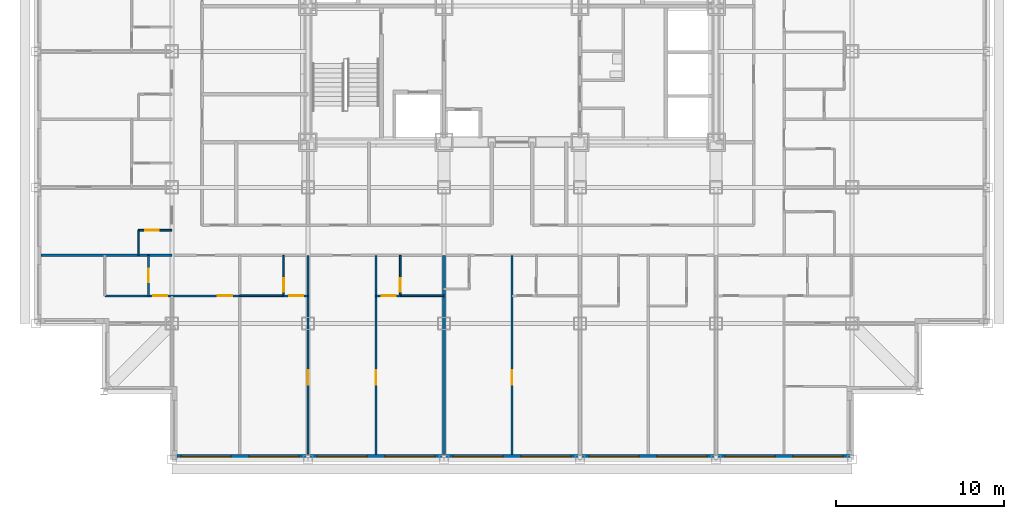
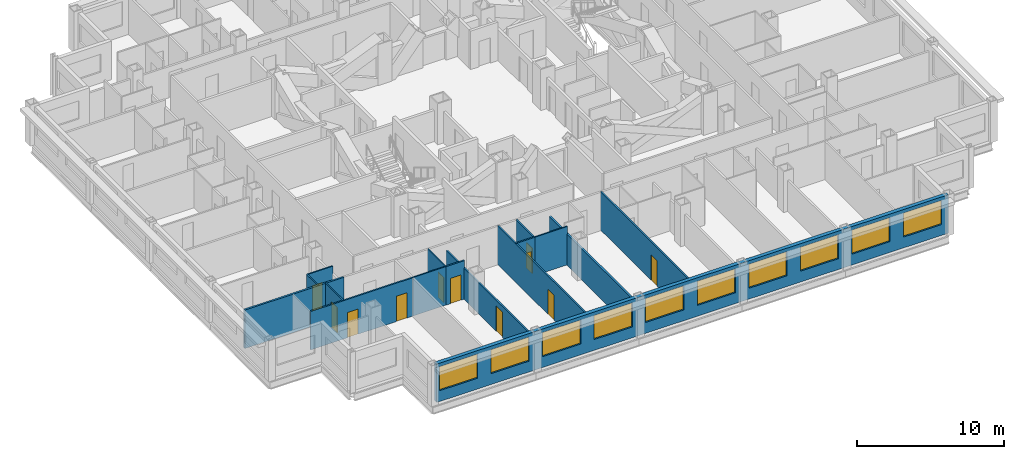
# One storey, part 4 of 15: 16 walls, 11 doors, 10 windows, 21 openings.
"""IFC4 building model written with IfcOpenShell, lengths in metres."""

from ifc_helpers import new_model, si_unit, direction, frame, frame_2d, origin, place, context, subcontext, project, spatial, rectangle, extrude, material, layer, layer_set, type_object, element, fill, save


model = new_model("IFC4")

# Units and contexts
model_context = context("Model", 3, precision=1e-05, world=origin(), true_north=direction((0.0, 1.0)))
body_context = subcontext(model_context, "Body", "Model", "MODEL_VIEW")
ifc_project = project(units=[si_unit("LENGTHUNIT", "METRE"), si_unit("AREAUNIT", "SQUARE_METRE"), si_unit("VOLUMEUNIT", "CUBIC_METRE"), si_unit("PLANEANGLEUNIT", "RADIAN"), si_unit("MASSUNIT", "GRAM", prefix="KILO")], contexts=[model_context])

# Site, building, storey
site_placement = place(None, origin())
site = spatial("IfcSite", under=ifc_project, at=site_placement, CompositionType="ELEMENT")
building_placement = place(site_placement, origin())
building = spatial("IfcBuilding", under=site, at=building_placement, Name="Kopane Lantern Tower", CompositionType="ELEMENT")
storey_placement = place(building_placement, frame((0.0, 0.0, 140.800048828125)))
storey = spatial("IfcBuildingStorey", under=building, at=storey_placement, Name="L36", CompositionType="ELEMENT", Elevation=140.800048828125)

# Wall, opening, door
ifc_material_1 = material(Name="Gypsum board on steel studs", Category="steel")
ifc_layer_1 = layer(ifc_material_1, 0.1201171875)
ifc_layer_set_1 = layer_set([ifc_layer_1], Name="APARTMENT INTERNAL WALL 120")
wall_type_1 = type_object("IfcWallType", Name="APARTMENT INTERNAL WALL 120", PredefinedType="PARTITIONING", material=ifc_layer_set_1)
wall_1_placement = place(storey_placement, frame((16.199951171875, 17.550048828125, 0.0), z_axis=(0.0, 0.0, 1.0), x_axis=(0.0, -1.0, 0.0)))
wall_1 = element("IfcWall", 1, at=wall_1_placement, inside=storey, type_object=wall_type_1, Name="Apartment Internal Wall 120 L36", PredefinedType="PARTITIONING", context=body_context, shape_type="SweptSolid", body=[
    extrude(rectangle(XDim=11.85009765625, YDim=0.1201171875, at=frame_2d((5.925048828125, 0.0))), origin(), (0.0, 0.0, 1.0), 2.57763671875),
])
opening_1_placement = place(wall_1_placement, frame((6.85009765625, 0.0, 0.0)))
opening_1 = element("IfcOpeningElement", 2, at=opening_1_placement, cuts=wall_1, Name="Opening L36-020", PredefinedType="OPENING", context=body_context, shape_type="SweptSolid", body=[
    extrude(rectangle(XDim=0.85009765625, YDim=2.10009765625, at=frame_2d((0.425048828125, 1.050048828125))), frame((0.0, 0.070068359375, 0.0), z_axis=(0.0, -1.0, 0.0), x_axis=(1.0, 0.0, 0.0)), (0.0, 0.0, 1.0), 0.14013671875),
])
ifc_material_2 = material(Name="Timber door set", Category="wood")
door_type_1 = type_object("IfcDoorType", Name="DOOR D4 850x2100", OperationType="SINGLE_SWING_LEFT", PredefinedType="DOOR", material=ifc_material_2)
door_1_placement = place(opening_1_placement, origin())
door_1 = element("IfcDoor", 3, at=door_1_placement, inside=storey, type_object=door_type_1, Name="Door L36-020", OperationType="SINGLE_SWING_RIGHT", OverallHeight=2.10009765625, OverallWidth=0.85009765625, PredefinedType="DOOR", context=body_context, shape_type="SweptSolid", body=[
    extrude(rectangle(XDim=0.85009765625, YDim=2.10009765625, at=frame_2d((0.425048828125, 1.050048828125))), frame((0.0, 0.02490234375, 0.0), z_axis=(0.0, -1.0, 0.0), x_axis=(1.0, 0.0, 0.0)), (0.0, 0.0, 1.0), 0.050048828125),
])
fill(opening_1, door_1)

wall_2_placement = place(storey_placement, frame((20.25, 17.550048828125, 0.0), z_axis=(0.0, 0.0, 1.0), x_axis=(0.0, -1.0, 0.0)))
wall_2 = element("IfcWall", 4, at=wall_2_placement, inside=storey, type_object=wall_type_1, Name="Apartment Internal Wall 120 L36", PredefinedType="PARTITIONING", context=body_context, shape_type="SweptSolid", body=[
    extrude(rectangle(XDim=11.85009765625, YDim=0.1201171875, at=frame_2d((5.925048828125, 0.0))), origin(), (0.0, 0.0, 1.0), 3.18994140625),
])
opening_2_placement = place(wall_2_placement, frame((6.85009765625, 0.0, 0.0)))
opening_2 = element("IfcOpeningElement", 5, at=opening_2_placement, cuts=wall_2, Name="Opening L36-022", PredefinedType="OPENING", context=body_context, shape_type="SweptSolid", body=[
    extrude(rectangle(XDim=0.85009765625, YDim=2.10009765625, at=frame_2d((0.425048828125, 1.050048828125))), frame((0.0, 0.070068359375, 0.0), z_axis=(0.0, -1.0, 0.0), x_axis=(1.0, 0.0, 0.0)), (0.0, 0.0, 1.0), 0.14013671875),
])
door_2_placement = place(opening_2_placement, origin())
door_2 = element("IfcDoor", 6, at=door_2_placement, inside=storey, type_object=door_type_1, Name="Door L36-022", OperationType="SINGLE_SWING_LEFT", OverallHeight=2.10009765625, OverallWidth=0.85009765625, PredefinedType="DOOR", context=body_context, shape_type="SweptSolid", body=[
    extrude(rectangle(XDim=0.85009765625, YDim=2.10009765625, at=frame_2d((0.425048828125, 1.050048828125))), frame((0.0, 0.02490234375, 0.0), z_axis=(0.0, -1.0, 0.0), x_axis=(1.0, 0.0, 0.0)), (0.0, 0.0, 1.0), 0.050048828125),
])
fill(opening_2, door_2)

wall_3_placement = place(storey_placement, frame((28.35009765625, 17.550048828125, 0.0), z_axis=(0.0, 0.0, 1.0), x_axis=(0.0, -1.0, 0.0)))
wall_3 = element("IfcWall", 7, at=wall_3_placement, inside=storey, type_object=wall_type_1, Name="Apartment Internal Wall 120 L36", PredefinedType="PARTITIONING", context=body_context, shape_type="SweptSolid", body=[
    extrude(rectangle(XDim=11.85009765625, YDim=0.1201171875, at=frame_2d((5.925048828125, 0.0))), origin(), (0.0, 0.0, 1.0), 3.18994140625),
])
opening_3_placement = place(wall_3_placement, frame((6.85009765625, 0.0, 0.0)))
opening_3 = element("IfcOpeningElement", 8, at=opening_3_placement, cuts=wall_3, Name="Opening L36-026", PredefinedType="OPENING", context=body_context, shape_type="SweptSolid", body=[
    extrude(rectangle(XDim=0.85009765625, YDim=2.10009765625, at=frame_2d((0.425048828125, 1.050048828125))), frame((0.0, 0.070068359375, 0.0), z_axis=(0.0, -1.0, 0.0), x_axis=(1.0, 0.0, 0.0)), (0.0, 0.0, 1.0), 0.14013671875),
])
door_3_placement = place(opening_3_placement, origin())
door_3 = element("IfcDoor", 9, at=door_3_placement, inside=storey, type_object=door_type_1, Name="Door L36-026", OperationType="SINGLE_SWING_LEFT", OverallHeight=2.10009765625, OverallWidth=0.85009765625, PredefinedType="DOOR", context=body_context, shape_type="SweptSolid", body=[
    extrude(rectangle(XDim=0.85009765625, YDim=2.10009765625, at=frame_2d((0.425048828125, 1.050048828125))), frame((0.0, 0.02490234375, 0.0), z_axis=(0.0, -1.0, 0.0), x_axis=(1.0, 0.0, 0.0)), (0.0, 0.0, 1.0), 0.050048828125),
])
fill(opening_3, door_3)

# Wall, openings, doors
wall_4_placement = place(storey_placement, frame((4.10009765625, 15.14990234375, 0.0), z_axis=(0.0, 0.0, 1.0), x_axis=(1.0, 0.0, 0.0)))
wall_4 = element("IfcWall", 10, at=wall_4_placement, inside=storey, type_object=wall_type_1, Name="Apartment Internal Wall 120 L36", PredefinedType="PARTITIONING", context=body_context, shape_type="SweptSolid", body=[
    extrude(rectangle(XDim=8.0498046875, YDim=0.1201171875, at=frame_2d((4.02490234375, 0.0))), origin(), (0.0, 0.0, 1.0), 3.18994140625),
])
opening_4_placement = place(wall_4_placement, frame((6.72509765625, 0.0, 0.0)))
opening_4 = element("IfcOpeningElement", 11, at=opening_4_placement, cuts=wall_4, Name="Opening L36-071", PredefinedType="OPENING", context=body_context, shape_type="SweptSolid", body=[
    extrude(rectangle(XDim=0.85009765625, YDim=2.10009765625, at=frame_2d((0.425048828125, 1.050048828125))), frame((0.0, 0.070068359375, 0.0), z_axis=(0.0, -1.0, 0.0), x_axis=(1.0, 0.0, 0.0)), (0.0, 0.0, 1.0), 0.14013671875),
])
opening_5_placement = place(wall_4_placement, frame((2.875, 0.0, 0.0)))
opening_5 = element("IfcOpeningElement", 12, at=opening_5_placement, cuts=wall_4, Name="Opening L36-073", PredefinedType="OPENING", context=body_context, shape_type="SweptSolid", body=[
    extrude(rectangle(XDim=0.85009765625, YDim=2.10009765625, at=frame_2d((0.425048828125, 1.050048828125))), frame((0.0, 0.070068359375, 0.0), z_axis=(0.0, -1.0, 0.0), x_axis=(1.0, 0.0, 0.0)), (0.0, 0.0, 1.0), 0.14013671875),
])
door_4_placement = place(opening_4_placement, origin())
door_4 = element("IfcDoor", 13, at=door_4_placement, inside=storey, type_object=door_type_1, Name="Door L36-071", OperationType="SINGLE_SWING_RIGHT", OverallHeight=2.10009765625, OverallWidth=0.85009765625, PredefinedType="DOOR", context=body_context, shape_type="SweptSolid", body=[
    extrude(rectangle(XDim=0.85009765625, YDim=2.10009765625, at=frame_2d((0.425048828125, 1.050048828125))), frame((0.0, 0.02490234375, 0.0), z_axis=(0.0, -1.0, 0.0), x_axis=(1.0, 0.0, 0.0)), (0.0, 0.0, 1.0), 0.050048828125),
])
fill(opening_4, door_4)
door_5_placement = place(opening_5_placement, origin())
door_5 = element("IfcDoor", 14, at=door_5_placement, inside=storey, type_object=door_type_1, Name="Door L36-073", OperationType="SINGLE_SWING_LEFT", OverallHeight=2.10009765625, OverallWidth=0.85009765625, PredefinedType="DOOR", context=body_context, shape_type="SweptSolid", body=[
    extrude(rectangle(XDim=0.85009765625, YDim=2.10009765625, at=frame_2d((0.425048828125, 1.050048828125))), frame((0.0, 0.02490234375, 0.0), z_axis=(0.0, -1.0, 0.0), x_axis=(1.0, 0.0, 0.0)), (0.0, 0.0, 1.0), 0.050048828125),
])
fill(opening_5, door_5)

# Wall, opening, door
wall_5_placement = place(storey_placement, frame((16.199951171875, 15.14990234375, 0.0), z_axis=(0.0, 0.0, 1.0), x_axis=(-1.0, 0.0, 0.0)))
wall_5 = element("IfcWall", 15, at=wall_5_placement, inside=storey, type_object=wall_type_1, Name="Apartment Internal Wall 120 L36", PredefinedType="PARTITIONING", context=body_context, shape_type="SweptSolid", body=[
    extrude(rectangle(XDim=1.4599609375, YDim=0.1201171875, at=frame_2d((0.72998046875, 0.0))), origin(), (0.0, 0.0, 1.0), 3.18994140625),
])
opening_6_placement = place(wall_5_placement, frame((0.27490234375, 0.0, 0.0)))
opening_6 = element("IfcOpeningElement", 16, at=opening_6_placement, cuts=wall_5, Name="Opening L36-087", PredefinedType="OPENING", context=body_context, shape_type="SweptSolid", body=[
    extrude(rectangle(XDim=0.85009765625, YDim=2.10009765625, at=frame_2d((0.425048828125, 1.050048828125))), frame((0.0, 0.070068359375, 0.0), z_axis=(0.0, -1.0, 0.0), x_axis=(1.0, 0.0, 0.0)), (0.0, 0.0, 1.0), 0.14013671875),
])
door_6_placement = place(opening_6_placement, origin())
door_6 = element("IfcDoor", 17, at=door_6_placement, inside=storey, type_object=door_type_1, Name="Door L36-087", OperationType="SINGLE_SWING_LEFT", OverallHeight=2.10009765625, OverallWidth=0.85009765625, PredefinedType="DOOR", context=body_context, shape_type="SweptSolid", body=[
    extrude(rectangle(XDim=0.85009765625, YDim=2.10009765625, at=frame_2d((0.425048828125, 1.050048828125))), frame((0.0, 0.02490234375, 0.0), z_axis=(0.0, -1.0, 0.0), x_axis=(1.0, 0.0, 0.0)), (0.0, 0.0, 1.0), 0.050048828125),
])
fill(opening_6, door_6)

wall_6_placement = place(storey_placement, frame((21.7099609375, 15.14990234375, 0.0), z_axis=(0.0, 0.0, 1.0), x_axis=(-1.0, 0.0, 0.0)))
wall_6 = element("IfcWall", 18, at=wall_6_placement, inside=storey, type_object=wall_type_1, Name="Apartment Internal Wall 120 L36", PredefinedType="PARTITIONING", context=body_context, shape_type="SweptSolid", body=[
    extrude(rectangle(XDim=1.4599609375, YDim=0.1201171875, at=frame_2d((0.72998046875, 0.0))), origin(), (0.0, 0.0, 1.0), 3.18994140625),
])
opening_7_placement = place(wall_6_placement, frame((0.27490234375, 0.0, 0.0)))
opening_7 = element("IfcOpeningElement", 19, at=opening_7_placement, cuts=wall_6, Name="Opening L36-088", PredefinedType="OPENING", context=body_context, shape_type="SweptSolid", body=[
    extrude(rectangle(XDim=0.85009765625, YDim=2.10009765625, at=frame_2d((0.425048828125, 1.050048828125))), frame((0.0, 0.070068359375, 0.0), z_axis=(0.0, -1.0, 0.0), x_axis=(1.0, 0.0, 0.0)), (0.0, 0.0, 1.0), 0.14013671875),
])
door_7_placement = place(opening_7_placement, origin())
door_7 = element("IfcDoor", 20, at=door_7_placement, inside=storey, type_object=door_type_1, Name="Door L36-088", OperationType="SINGLE_SWING_RIGHT", OverallHeight=2.10009765625, OverallWidth=0.85009765625, PredefinedType="DOOR", context=body_context, shape_type="SweptSolid", body=[
    extrude(rectangle(XDim=0.85009765625, YDim=2.10009765625, at=frame_2d((0.425048828125, 1.050048828125))), frame((0.0, 0.02490234375, 0.0), z_axis=(0.0, -1.0, 0.0), x_axis=(1.0, 0.0, 0.0)), (0.0, 0.0, 1.0), 0.050048828125),
])
fill(opening_7, door_7)

# Wall
ifc_material_3 = material(Name="Moisture-resistant board on steel studs", Category="steel")
ifc_layer_2 = layer(ifc_material_3, 0.10009765625)
ifc_layer_set_2 = layer_set([ifc_layer_2], Name="BATHROOM WALL 100")
wall_type_2 = type_object("IfcWallType", Name="BATHROOM WALL 100", PredefinedType="PARTITIONING", material=ifc_layer_set_2)
wall_7_placement = place(storey_placement, frame((12.14990234375, 15.14990234375, 0.0), z_axis=(0.0, 0.0, 1.0), x_axis=(1.0, 0.0, 0.0)))
element("IfcWall", 21, at=wall_7_placement, inside=storey, type_object=wall_type_2, Name="Bathroom Wall 100 L36", PredefinedType="PARTITIONING", context=body_context, shape_type="SweptSolid", body=[
    extrude(rectangle(XDim=2.60009765625, YDim=0.10009765625, at=frame_2d((1.300048828125, 0.0))), origin(), (0.0, 0.0, 1.0), 3.18994140625),
])

# Wall, opening, door
wall_8_placement = place(storey_placement, frame((14.75, 17.550048828125, 0.0), z_axis=(0.0, 0.0, 1.0), x_axis=(0.0, -1.0, 0.0)))
wall_8 = element("IfcWall", 22, at=wall_8_placement, inside=storey, type_object=wall_type_2, Name="Bathroom Wall 100 L36", PredefinedType="PARTITIONING", context=body_context, shape_type="SweptSolid", body=[
    extrude(rectangle(XDim=2.400146484375, YDim=0.10009765625, at=frame_2d((1.2001953125, 0.0))), origin(), (0.0, 0.0, 1.0), 3.18994140625),
])
opening_8_placement = place(wall_8_placement, frame((1.35009765625, 0.0, 0.0)))
opening_8 = element("IfcOpeningElement", 23, at=opening_8_placement, cuts=wall_8, Name="Opening L36-019", PredefinedType="OPENING", context=body_context, shape_type="SweptSolid", body=[
    extrude(rectangle(XDim=0.800048828125, YDim=2.10009765625, at=frame_2d((0.39990234375, 1.050048828125))), frame((0.0, 0.06005859375, 0.0), z_axis=(0.0, -1.0, 0.0), x_axis=(1.0, 0.0, 0.0)), (0.0, 0.0, 1.0), 0.1201171875),
])
ifc_material_4 = material(Name="Timber door set", Category="wood")
door_type_2 = type_object("IfcDoorType", Name="DOOR D2 800x2100", OperationType="SINGLE_SWING_LEFT", PredefinedType="DOOR", material=ifc_material_4)
door_8_placement = place(opening_8_placement, origin())
door_8 = element("IfcDoor", 24, at=door_8_placement, inside=storey, type_object=door_type_2, Name="Door L36-019", OperationType="SINGLE_SWING_RIGHT", OverallHeight=2.10009765625, OverallWidth=0.800048828125, PredefinedType="DOOR", context=body_context, shape_type="SweptSolid", body=[
    extrude(rectangle(XDim=0.800048828125, YDim=2.10009765625, at=frame_2d((0.39990234375, 1.050048828125))), frame((0.0, 0.02490234375, 0.0), z_axis=(0.0, -1.0, 0.0), x_axis=(1.0, 0.0, 0.0)), (0.0, 0.0, 1.0), 0.050048828125),
])
fill(opening_8, door_8)

# Wall
wall_9_placement = place(storey_placement, frame((21.699951171875, 15.14990234375, 0.0), z_axis=(0.0, 0.0, 1.0), x_axis=(1.0, 0.0, 0.0)))
element("IfcWall", 25, at=wall_9_placement, inside=storey, type_object=wall_type_2, Name="Bathroom Wall 100 L36", PredefinedType="PARTITIONING", context=body_context, shape_type="SweptSolid", body=[
    extrude(rectangle(XDim=2.60009765625, YDim=0.10009765625, at=frame_2d((1.300048828125, 0.0))), origin(), (0.0, 0.0, 1.0), 3.18994140625),
])

# Wall, opening, door
wall_10_placement = place(storey_placement, frame((21.699951171875, 17.550048828125, 0.0), z_axis=(0.0, 0.0, 1.0), x_axis=(0.0, -1.0, 0.0)))
wall_10 = element("IfcWall", 26, at=wall_10_placement, inside=storey, type_object=wall_type_2, Name="Bathroom Wall 100 L36", PredefinedType="PARTITIONING", context=body_context, shape_type="SweptSolid", body=[
    extrude(rectangle(XDim=2.400146484375, YDim=0.10009765625, at=frame_2d((1.2001953125, 0.0))), origin(), (0.0, 0.0, 1.0), 3.18994140625),
])
opening_9_placement = place(wall_10_placement, frame((1.35009765625, 0.0, 0.0)))
opening_9 = element("IfcOpeningElement", 27, at=opening_9_placement, cuts=wall_10, Name="Opening L36-021", PredefinedType="OPENING", context=body_context, shape_type="SweptSolid", body=[
    extrude(rectangle(XDim=0.800048828125, YDim=2.10009765625, at=frame_2d((0.39990234375, 1.050048828125))), frame((0.0, 0.06005859375, 0.0), z_axis=(0.0, -1.0, 0.0), x_axis=(1.0, 0.0, 0.0)), (0.0, 0.0, 1.0), 0.1201171875),
])
door_9_placement = place(opening_9_placement, origin())
door_9 = element("IfcDoor", 28, at=door_9_placement, inside=storey, type_object=door_type_2, Name="Door L36-021", OperationType="SINGLE_SWING_LEFT", OverallHeight=2.10009765625, OverallWidth=0.800048828125, PredefinedType="DOOR", context=body_context, shape_type="SweptSolid", body=[
    extrude(rectangle(XDim=0.800048828125, YDim=2.10009765625, at=frame_2d((0.39990234375, 1.050048828125))), frame((0.0, 0.02490234375, 0.0), z_axis=(0.0, -1.0, 0.0), x_axis=(1.0, 0.0, 0.0)), (0.0, 0.0, 1.0), 0.050048828125),
])
fill(opening_9, door_9)

# Wall
wall_11_placement = place(storey_placement, frame((6.10009765625, 17.550048828125, 0.0), z_axis=(0.0, 0.0, 1.0), x_axis=(0.0, 1.0, 0.0)))
element("IfcWall", 29, at=wall_11_placement, inside=storey, type_object=wall_type_2, Name="Bathroom Wall 100 L36", PredefinedType="PARTITIONING", context=body_context, shape_type="SweptSolid", body=[
    extrude(rectangle(XDim=1.5, YDim=0.10009765625, at=frame_2d((0.75, 0.0))), origin(), (0.0, 0.0, 1.0), 3.18994140625),
])

# Wall, opening, door
wall_12_placement = place(storey_placement, frame((8.10009765625, 19.050048828125, 0.0), z_axis=(0.0, 0.0, 1.0), x_axis=(-1.0, 0.0, 0.0)))
wall_12 = element("IfcWall", 30, at=wall_12_placement, inside=storey, type_object=wall_type_2, Name="Bathroom Wall 100 L36", PredefinedType="PARTITIONING", context=body_context, shape_type="SweptSolid", body=[
    extrude(rectangle(XDim=2.0, YDim=0.10009765625, at=frame_2d((1.0, 0.0))), origin(), (0.0, 0.0, 1.0), 3.18994140625),
])
opening_10_placement = place(wall_12_placement, frame((0.800048828125, 0.0, 0.0)))
opening_10 = element("IfcOpeningElement", 31, at=opening_10_placement, cuts=wall_12, Name="Opening L36-043", PredefinedType="OPENING", context=body_context, shape_type="SweptSolid", body=[
    extrude(rectangle(XDim=0.800048828125, YDim=2.10009765625, at=frame_2d((0.39990234375, 1.050048828125))), frame((0.0, 0.06005859375, 0.0), z_axis=(0.0, -1.0, 0.0), x_axis=(1.0, 0.0, 0.0)), (0.0, 0.0, 1.0), 0.1201171875),
])
door_10_placement = place(opening_10_placement, origin())
door_10 = element("IfcDoor", 32, at=door_10_placement, inside=storey, type_object=door_type_2, Name="Door L36-043", OperationType="SINGLE_SWING_RIGHT", OverallHeight=2.10009765625, OverallWidth=0.800048828125, PredefinedType="DOOR", context=body_context, shape_type="SweptSolid", body=[
    extrude(rectangle(XDim=0.800048828125, YDim=2.10009765625, at=frame_2d((0.39990234375, 1.050048828125))), frame((0.0, 0.02490234375, 0.0), z_axis=(0.0, -1.0, 0.0), x_axis=(1.0, 0.0, 0.0)), (0.0, 0.0, 1.0), 0.050048828125),
])
fill(opening_10, door_10)

wall_13_placement = place(storey_placement, frame((6.699951171875, 17.550048828125, 0.0), z_axis=(0.0, 0.0, 1.0), x_axis=(0.0, -1.0, 0.0)))
wall_13 = element("IfcWall", 33, at=wall_13_placement, inside=storey, type_object=wall_type_2, Name="Bathroom Wall 100 L36", PredefinedType="PARTITIONING", context=body_context, shape_type="SweptSolid", body=[
    extrude(rectangle(XDim=2.400146484375, YDim=0.10009765625, at=frame_2d((1.2001953125, 0.0))), origin(), (0.0, 0.0, 1.0), 3.18994140625),
])
opening_11_placement = place(wall_13_placement, frame((0.800048828125, 0.0, 0.0)))
opening_11 = element("IfcOpeningElement", 34, at=opening_11_placement, cuts=wall_13, Name="Opening L36-072", PredefinedType="OPENING", context=body_context, shape_type="SweptSolid", body=[
    extrude(rectangle(XDim=0.800048828125, YDim=2.10009765625, at=frame_2d((0.39990234375, 1.050048828125))), frame((0.0, 0.06005859375, 0.0), z_axis=(0.0, -1.0, 0.0), x_axis=(1.0, 0.0, 0.0)), (0.0, 0.0, 1.0), 0.1201171875),
])
door_11_placement = place(opening_11_placement, origin())
door_11 = element("IfcDoor", 35, at=door_11_placement, inside=storey, type_object=door_type_2, Name="Door L36-072", OperationType="SINGLE_SWING_RIGHT", OverallHeight=2.10009765625, OverallWidth=0.800048828125, PredefinedType="DOOR", context=body_context, shape_type="SweptSolid", body=[
    extrude(rectangle(XDim=0.800048828125, YDim=2.10009765625, at=frame_2d((0.39990234375, 1.050048828125))), frame((0.0, 0.02490234375, 0.0), z_axis=(0.0, -1.0, 0.0), x_axis=(1.0, 0.0, 0.0)), (0.0, 0.0, 1.0), 0.050048828125),
])
fill(opening_11, door_11)

# Walls
ifc_material_5 = material(Name="Gypsum board on steel studs", Category="steel")
ifc_layer_3 = layer(ifc_material_5, 0.14990234375)
ifc_layer_set_3 = layer_set([ifc_layer_3], Name="DEMISING WALL 150 EI 60")
wall_type_3 = type_object("IfcWallType", Name="DEMISING WALL 150 EI 60", PredefinedType="PARTITIONING", material=ifc_layer_set_3)
wall_14_placement = place(storey_placement, frame((24.300048828125, 17.550048828125, 0.0), z_axis=(0.0, 0.0, 1.0), x_axis=(0.0, -1.0, 0.0)))
element("IfcWall", 36, at=wall_14_placement, inside=storey, type_object=wall_type_3, Name="Demising Wall 150 Ei 60 L36", PredefinedType="PARTITIONING", context=body_context, shape_type="SweptSolid", body=[
    extrude(rectangle(XDim=11.85009765625, YDim=0.14990234375, at=frame_2d((5.925048828125, 0.0))), origin(), (0.0, 0.0, 1.0), 2.57763671875),
])
wall_15_placement = place(storey_placement, frame((0.300048828125, 17.550048828125, 0.0), z_axis=(0.0, 0.0, 1.0), x_axis=(1.0, 0.0, 0.0)))
element("IfcWall", 37, at=wall_15_placement, inside=storey, type_object=wall_type_3, Name="Demising Wall 150 Ei 60 L36", PredefinedType="PARTITIONING", context=body_context, shape_type="SweptSolid", body=[
    extrude(rectangle(XDim=7.800048828125, YDim=0.14990234375, at=frame_2d((3.89990234375, 0.0))), origin(), (0.0, 0.0, 1.0), 3.18994140625),
])

# Wall, openings, windows
ifc_material_6 = material(Name="Terracotta rainscreen on light steel framing", Category="masonry")
ifc_layer_4 = layer(ifc_material_6, 0.300048828125)
ifc_layer_set_4 = layer_set([ifc_layer_4], Name="EXTERNAL WALL EW1 300 TERRACOTTA")
wall_type_4 = type_object("IfcWallType", Name="EXTERNAL WALL EW1 300 TERRACOTTA", PredefinedType="SOLIDWALL", material=ifc_layer_set_4)
wall_16_placement = place(storey_placement, frame((8.39990234375, 5.550048828125, 0.0), z_axis=(0.0, 0.0, 1.0), x_axis=(1.0, 0.0, 0.0)))
wall_16 = element("IfcWall", 38, at=wall_16_placement, inside=storey, type_object=wall_type_4, Name="External wall S L36", PredefinedType="SOLIDWALL", context=body_context, shape_type="SweptSolid", body=[
    extrude(rectangle(XDim=40.2001953125, YDim=0.300048828125, at=frame_2d((20.10009765625, 0.0))), origin(), (0.0, 0.0, 1.0), 3.18994140625),
])
opening_12_placement = place(wall_16_placement, frame((0.22509765625, 0.0, 0.89990234375)))
opening_12 = element("IfcOpeningElement", 39, at=opening_12_placement, cuts=wall_16, Name="Opening WR300200", PredefinedType="OPENING", context=body_context, shape_type="SweptSolid", body=[
    extrude(rectangle(XDim=3.0, YDim=2.0, at=frame_2d((1.5, 1.0))), frame((0.0, 0.159912109375, 0.0), z_axis=(0.0, -1.0, 0.0), x_axis=(1.0, 0.0, 0.0)), (0.0, 0.0, 1.0), 0.320068359375),
])
opening_13_placement = place(wall_16_placement, frame((4.27490234375, 0.0, 0.89990234375)))
opening_13 = element("IfcOpeningElement", 40, at=opening_13_placement, cuts=wall_16, Name="Opening WR300200", PredefinedType="OPENING", context=body_context, shape_type="SweptSolid", body=[
    extrude(rectangle(XDim=3.0, YDim=2.0, at=frame_2d((1.5, 1.0))), frame((0.0, 0.159912109375, 0.0), z_axis=(0.0, -1.0, 0.0), x_axis=(1.0, 0.0, 0.0)), (0.0, 0.0, 1.0), 0.320068359375),
])
opening_14_placement = place(wall_16_placement, frame((8.324951171875, 0.0, 0.89990234375)))
opening_14 = element("IfcOpeningElement", 41, at=opening_14_placement, cuts=wall_16, Name="Opening WR300200", PredefinedType="OPENING", context=body_context, shape_type="SweptSolid", body=[
    extrude(rectangle(XDim=3.0, YDim=2.0, at=frame_2d((1.5, 1.0))), frame((0.0, 0.159912109375, 0.0), z_axis=(0.0, -1.0, 0.0), x_axis=(1.0, 0.0, 0.0)), (0.0, 0.0, 1.0), 0.320068359375),
])
opening_15_placement = place(wall_16_placement, frame((12.375, 0.0, 0.89990234375)))
opening_15 = element("IfcOpeningElement", 42, at=opening_15_placement, cuts=wall_16, Name="Opening WR300200", PredefinedType="OPENING", context=body_context, shape_type="SweptSolid", body=[
    extrude(rectangle(XDim=3.0, YDim=2.0, at=frame_2d((1.5, 1.0))), frame((0.0, 0.159912109375, 0.0), z_axis=(0.0, -1.0, 0.0), x_axis=(1.0, 0.0, 0.0)), (0.0, 0.0, 1.0), 0.320068359375),
])
opening_16_placement = place(wall_16_placement, frame((16.425048828125, 0.0, 0.89990234375)))
opening_16 = element("IfcOpeningElement", 43, at=opening_16_placement, cuts=wall_16, Name="Opening WR300200", PredefinedType="OPENING", context=body_context, shape_type="SweptSolid", body=[
    extrude(rectangle(XDim=3.0, YDim=2.0, at=frame_2d((1.5, 1.0))), frame((0.0, 0.159912109375, 0.0), z_axis=(0.0, -1.0, 0.0), x_axis=(1.0, 0.0, 0.0)), (0.0, 0.0, 1.0), 0.320068359375),
])
opening_17_placement = place(wall_16_placement, frame((20.47509765625, 0.0, 0.89990234375)))
opening_17 = element("IfcOpeningElement", 44, at=opening_17_placement, cuts=wall_16, Name="Opening WR300200", PredefinedType="OPENING", context=body_context, shape_type="SweptSolid", body=[
    extrude(rectangle(XDim=3.0, YDim=2.0, at=frame_2d((1.5, 1.0))), frame((0.0, 0.159912109375, 0.0), z_axis=(0.0, -1.0, 0.0), x_axis=(1.0, 0.0, 0.0)), (0.0, 0.0, 1.0), 0.320068359375),
])
opening_18_placement = place(wall_16_placement, frame((24.52490234375, 0.0, 0.89990234375)))
opening_18 = element("IfcOpeningElement", 45, at=opening_18_placement, cuts=wall_16, Name="Opening WR300200", PredefinedType="OPENING", context=body_context, shape_type="SweptSolid", body=[
    extrude(rectangle(XDim=3.0, YDim=2.0, at=frame_2d((1.5, 1.0))), frame((0.0, 0.159912109375, 0.0), z_axis=(0.0, -1.0, 0.0), x_axis=(1.0, 0.0, 0.0)), (0.0, 0.0, 1.0), 0.320068359375),
])
opening_19_placement = place(wall_16_placement, frame((28.574951171875, 0.0, 0.89990234375)))
opening_19 = element("IfcOpeningElement", 46, at=opening_19_placement, cuts=wall_16, Name="Opening WR300200", PredefinedType="OPENING", context=body_context, shape_type="SweptSolid", body=[
    extrude(rectangle(XDim=3.0, YDim=2.0, at=frame_2d((1.5, 1.0))), frame((0.0, 0.159912109375, 0.0), z_axis=(0.0, -1.0, 0.0), x_axis=(1.0, 0.0, 0.0)), (0.0, 0.0, 1.0), 0.320068359375),
])
opening_20_placement = place(wall_16_placement, frame((32.625, 0.0, 0.89990234375)))
opening_20 = element("IfcOpeningElement", 47, at=opening_20_placement, cuts=wall_16, Name="Opening WR300200", PredefinedType="OPENING", context=body_context, shape_type="SweptSolid", body=[
    extrude(rectangle(XDim=3.0, YDim=2.0, at=frame_2d((1.5, 1.0))), frame((0.0, 0.159912109375, 0.0), z_axis=(0.0, -1.0, 0.0), x_axis=(1.0, 0.0, 0.0)), (0.0, 0.0, 1.0), 0.320068359375),
])
opening_21_placement = place(wall_16_placement, frame((36.675048828125, 0.0, 0.89990234375)))
opening_21 = element("IfcOpeningElement", 48, at=opening_21_placement, cuts=wall_16, Name="Opening WR300200", PredefinedType="OPENING", context=body_context, shape_type="SweptSolid", body=[
    extrude(rectangle(XDim=3.0, YDim=2.0, at=frame_2d((1.5, 1.0))), frame((0.0, 0.159912109375, 0.0), z_axis=(0.0, -1.0, 0.0), x_axis=(1.0, 0.0, 0.0)), (0.0, 0.0, 1.0), 0.320068359375),
])
ifc_material_7 = material(Name="Aluminium and clear glass", Category="aluminium")
window_type = type_object("IfcWindowType", Name="RIBBON WINDOW WR300200 3000x2000", PartitioningType="SINGLE_PANEL", PredefinedType="WINDOW", material=ifc_material_7)
window_1_placement = place(opening_12_placement, origin())
window_1 = element("IfcWindow", 49, at=window_1_placement, inside=storey, type_object=window_type, Name="Window S L36", OverallHeight=2.0, OverallWidth=3.0, PartitioningType="SINGLE_PANEL", PredefinedType="WINDOW", context=body_context, shape_type="SweptSolid", body=[
    extrude(rectangle(XDim=3.0, YDim=2.0, at=frame_2d((1.5, 1.0))), frame((0.0, 0.030029296875, 0.0), z_axis=(0.0, -1.0, 0.0), x_axis=(1.0, 0.0, 0.0)), (0.0, 0.0, 1.0), 0.06005859375),
])
fill(opening_12, window_1)
window_2_placement = place(opening_13_placement, origin())
window_2 = element("IfcWindow", 50, at=window_2_placement, inside=storey, type_object=window_type, Name="Window S L36", OverallHeight=2.0, OverallWidth=3.0, PartitioningType="SINGLE_PANEL", PredefinedType="WINDOW", context=body_context, shape_type="SweptSolid", body=[
    extrude(rectangle(XDim=3.0, YDim=2.0, at=frame_2d((1.5, 1.0))), frame((0.0, 0.030029296875, 0.0), z_axis=(0.0, -1.0, 0.0), x_axis=(1.0, 0.0, 0.0)), (0.0, 0.0, 1.0), 0.06005859375),
])
fill(opening_13, window_2)
window_3_placement = place(opening_14_placement, origin())
window_3 = element("IfcWindow", 51, at=window_3_placement, inside=storey, type_object=window_type, Name="Window S L36", OverallHeight=2.0, OverallWidth=3.0, PartitioningType="SINGLE_PANEL", PredefinedType="WINDOW", context=body_context, shape_type="SweptSolid", body=[
    extrude(rectangle(XDim=3.0, YDim=2.0, at=frame_2d((1.5, 1.0))), frame((0.0, 0.030029296875, 0.0), z_axis=(0.0, -1.0, 0.0), x_axis=(1.0, 0.0, 0.0)), (0.0, 0.0, 1.0), 0.06005859375),
])
fill(opening_14, window_3)
window_4_placement = place(opening_15_placement, origin())
window_4 = element("IfcWindow", 52, at=window_4_placement, inside=storey, type_object=window_type, Name="Window S L36", OverallHeight=2.0, OverallWidth=3.0, PartitioningType="SINGLE_PANEL", PredefinedType="WINDOW", context=body_context, shape_type="SweptSolid", body=[
    extrude(rectangle(XDim=3.0, YDim=2.0, at=frame_2d((1.5, 1.0))), frame((0.0, 0.030029296875, 0.0), z_axis=(0.0, -1.0, 0.0), x_axis=(1.0, 0.0, 0.0)), (0.0, 0.0, 1.0), 0.06005859375),
])
fill(opening_15, window_4)
window_5_placement = place(opening_16_placement, origin())
window_5 = element("IfcWindow", 53, at=window_5_placement, inside=storey, type_object=window_type, Name="Window S L36", OverallHeight=2.0, OverallWidth=3.0, PartitioningType="SINGLE_PANEL", PredefinedType="WINDOW", context=body_context, shape_type="SweptSolid", body=[
    extrude(rectangle(XDim=3.0, YDim=2.0, at=frame_2d((1.5, 1.0))), frame((0.0, 0.030029296875, 0.0), z_axis=(0.0, -1.0, 0.0), x_axis=(1.0, 0.0, 0.0)), (0.0, 0.0, 1.0), 0.06005859375),
])
fill(opening_16, window_5)
window_6_placement = place(opening_17_placement, origin())
window_6 = element("IfcWindow", 54, at=window_6_placement, inside=storey, type_object=window_type, Name="Window S L36", OverallHeight=2.0, OverallWidth=3.0, PartitioningType="SINGLE_PANEL", PredefinedType="WINDOW", context=body_context, shape_type="SweptSolid", body=[
    extrude(rectangle(XDim=3.0, YDim=2.0, at=frame_2d((1.5, 1.0))), frame((0.0, 0.030029296875, 0.0), z_axis=(0.0, -1.0, 0.0), x_axis=(1.0, 0.0, 0.0)), (0.0, 0.0, 1.0), 0.06005859375),
])
fill(opening_17, window_6)
window_7_placement = place(opening_18_placement, origin())
window_7 = element("IfcWindow", 55, at=window_7_placement, inside=storey, type_object=window_type, Name="Window S L36", OverallHeight=2.0, OverallWidth=3.0, PartitioningType="SINGLE_PANEL", PredefinedType="WINDOW", context=body_context, shape_type="SweptSolid", body=[
    extrude(rectangle(XDim=3.0, YDim=2.0, at=frame_2d((1.5, 1.0))), frame((0.0, 0.030029296875, 0.0), z_axis=(0.0, -1.0, 0.0), x_axis=(1.0, 0.0, 0.0)), (0.0, 0.0, 1.0), 0.06005859375),
])
fill(opening_18, window_7)
window_8_placement = place(opening_19_placement, origin())
window_8 = element("IfcWindow", 56, at=window_8_placement, inside=storey, type_object=window_type, Name="Window S L36", OverallHeight=2.0, OverallWidth=3.0, PartitioningType="SINGLE_PANEL", PredefinedType="WINDOW", context=body_context, shape_type="SweptSolid", body=[
    extrude(rectangle(XDim=3.0, YDim=2.0, at=frame_2d((1.5, 1.0))), frame((0.0, 0.030029296875, 0.0), z_axis=(0.0, -1.0, 0.0), x_axis=(1.0, 0.0, 0.0)), (0.0, 0.0, 1.0), 0.06005859375),
])
fill(opening_19, window_8)
window_9_placement = place(opening_20_placement, origin())
window_9 = element("IfcWindow", 57, at=window_9_placement, inside=storey, type_object=window_type, Name="Window S L36", OverallHeight=2.0, OverallWidth=3.0, PartitioningType="SINGLE_PANEL", PredefinedType="WINDOW", context=body_context, shape_type="SweptSolid", body=[
    extrude(rectangle(XDim=3.0, YDim=2.0, at=frame_2d((1.5, 1.0))), frame((0.0, 0.030029296875, 0.0), z_axis=(0.0, -1.0, 0.0), x_axis=(1.0, 0.0, 0.0)), (0.0, 0.0, 1.0), 0.06005859375),
])
fill(opening_20, window_9)
window_10_placement = place(opening_21_placement, origin())
window_10 = element("IfcWindow", 58, at=window_10_placement, inside=storey, type_object=window_type, Name="Window S L36", OverallHeight=2.0, OverallWidth=3.0, PartitioningType="SINGLE_PANEL", PredefinedType="WINDOW", context=body_context, shape_type="SweptSolid", body=[
    extrude(rectangle(XDim=3.0, YDim=2.0, at=frame_2d((1.5, 1.0))), frame((0.0, 0.030029296875, 0.0), z_axis=(0.0, -1.0, 0.0), x_axis=(1.0, 0.0, 0.0)), (0.0, 0.0, 1.0), 0.06005859375),
])
fill(opening_21, window_10)

save(model, "model.ifc")
